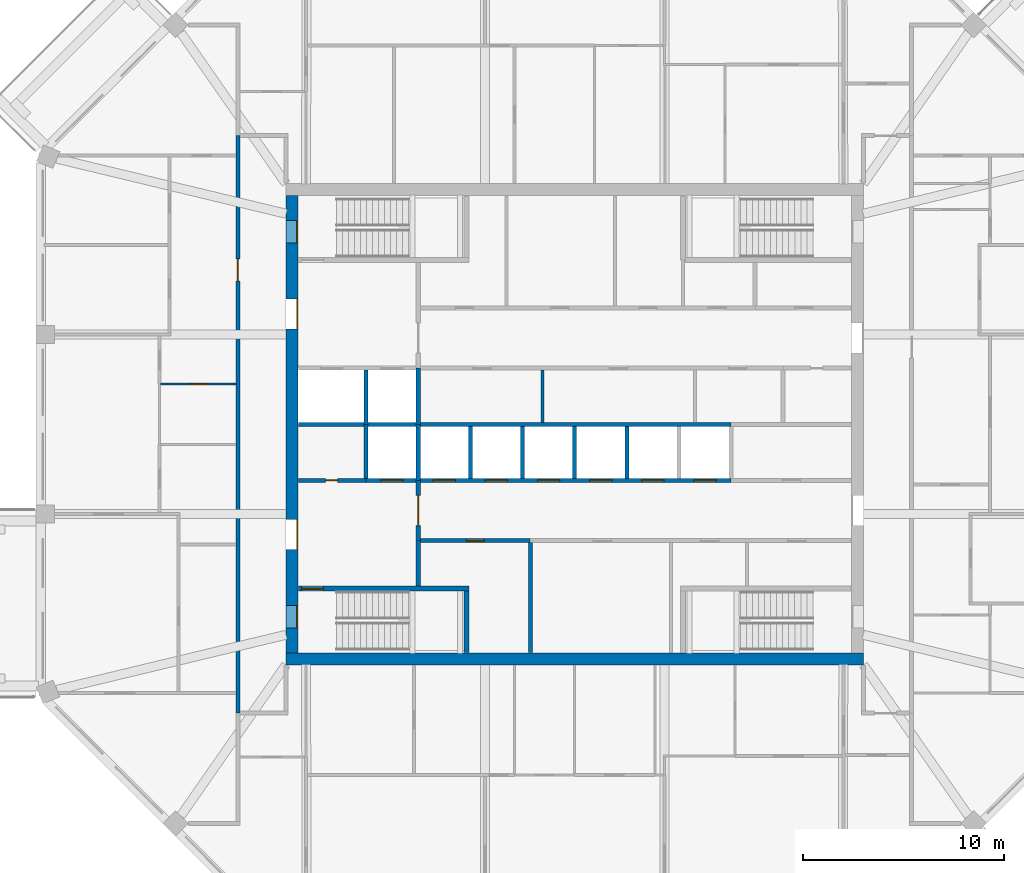
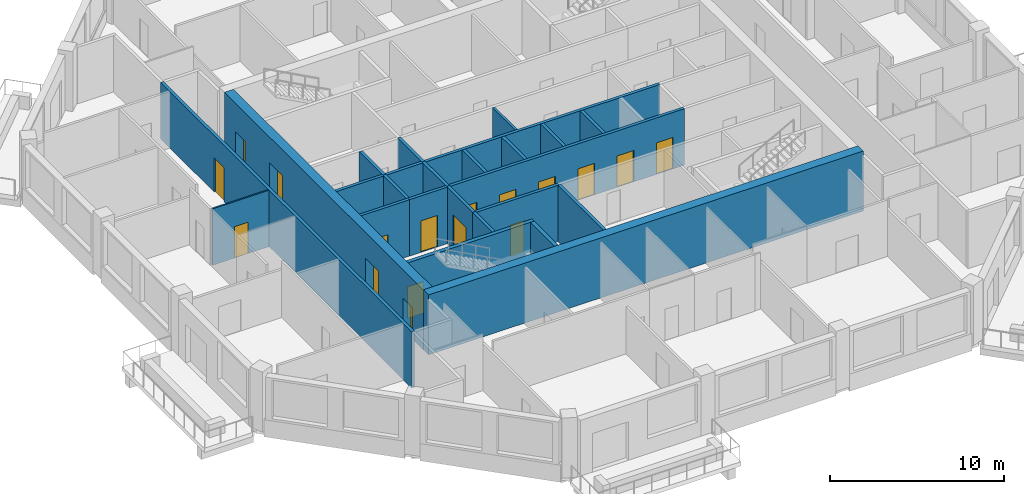
# One storey, part 4 of 11: 22 walls, 17 doors, 17 openings.
"""IFC4 building model written with IfcOpenShell, lengths in metres."""

from ifc_helpers import new_model, si_unit, direction, frame, frame_2d, origin, place, context, subcontext, project, spatial, rectangle, extrude, material, layer, layer_set, type_object, element, fill, save


model = new_model("IFC4")

# Units and contexts
model_context = context("Model", 3, precision=1e-05, world=origin(), true_north=direction((0.0, 1.0)))
body_context = subcontext(model_context, "Body", "Model", "MODEL_VIEW")
ifc_project = project(units=[si_unit("LENGTHUNIT", "METRE"), si_unit("AREAUNIT", "SQUARE_METRE"), si_unit("VOLUMEUNIT", "CUBIC_METRE"), si_unit("PLANEANGLEUNIT", "RADIAN"), si_unit("MASSUNIT", "GRAM", prefix="KILO")], contexts=[model_context])

# Site, building, storey
site_placement = place(None, origin())
site = spatial("IfcSite", under=ifc_project, at=site_placement, CompositionType="ELEMENT")
building_placement = place(site_placement, origin())
building = spatial("IfcBuilding", under=site, at=building_placement, Name="Msitu Wima Residences", CompositionType="ELEMENT")
storey_placement = place(building_placement, frame((0.0, 0.0, 293.699951171875)))
storey = spatial("IfcBuildingStorey", under=building, at=storey_placement, Name="L68", CompositionType="ELEMENT", Elevation=293.699951171875)

# Wall
ifc_material_1 = material(Name="Concrete C50/60", Category="concrete")
ifc_layer_1 = layer(ifc_material_1, 0.60009765625)
ifc_layer_set_1 = layer_set([ifc_layer_1], Name="Concrete C50/60")
wall_type_1 = type_object("IfcWallType", Name="Core wall CW600 C50/60", PredefinedType="SHEAR", material=ifc_layer_set_1)
wall_1_placement = place(storey_placement, frame((-14.39990234375, -11.699951171875, 0.0), z_axis=(0.0, 0.0, 1.0), x_axis=(1.0, 0.0, 0.0)))
element("IfcWall", 1, at=wall_1_placement, inside=storey, type_object=wall_type_1, Name="Core wall", PredefinedType="SHEAR", context=body_context, shape_type="SweptSolid", body=[
    extrude(rectangle(XDim=28.7998046875, YDim=0.60009765625, at=frame_2d((14.39990234375, 0.0))), origin(), (0.0, 0.0, 1.0), 4.199951171875),
])

# Wall, openings, doors
wall_2_placement = place(storey_placement, frame((-14.10009765625, -11.39990234375, 0.0), z_axis=(0.0, 0.0, 1.0), x_axis=(0.0, 1.0, 0.0)))
wall_2 = element("IfcWall", 2, at=wall_2_placement, inside=storey, type_object=wall_type_1, Name="Core wall", PredefinedType="SHEAR", context=body_context, shape_type="SweptSolid", body=[
    extrude(rectangle(XDim=22.7998046875, YDim=0.60009765625, at=frame_2d((11.39990234375, 0.0))), origin(), (0.0, 0.0, 1.0), 4.199951171875),
])
opening_1_placement = place(wall_2_placement, frame((20.449951171875, 0.0, 0.0)))
opening_1 = element("IfcOpeningElement", 3, at=opening_1_placement, cuts=wall_2, Name="Opening D68-70.078", PredefinedType="OPENING", context=body_context, shape_type="SweptSolid", body=[
    extrude(rectangle(XDim=1.10009765625, YDim=2.199951171875, at=frame_2d((0.550048828125, 1.10009765625))), frame((0.0, 0.31005859375, 0.0), z_axis=(0.0, -1.0, 0.0), x_axis=(1.0, 0.0, 0.0)), (0.0, 0.0, 1.0), 0.6201171875),
])
opening_2_placement = place(wall_2_placement, frame((1.25, 0.0, 0.0)))
opening_2 = element("IfcOpeningElement", 4, at=opening_2_placement, cuts=wall_2, Name="Opening D68-70.080", PredefinedType="OPENING", context=body_context, shape_type="SweptSolid", body=[
    extrude(rectangle(XDim=1.10009765625, YDim=2.199951171875, at=frame_2d((0.550048828125, 1.10009765625))), frame((0.0, 0.31005859375, 0.0), z_axis=(0.0, -1.0, 0.0), x_axis=(1.0, 0.0, 0.0)), (0.0, 0.0, 1.0), 0.6201171875),
])
opening_3_placement = place(wall_2_placement, frame((16.14990234375, 0.0, 0.0)))
opening_3 = element("IfcOpeningElement", 5, at=opening_3_placement, cuts=wall_2, Name="Opening D68-70.058", PredefinedType="OPENING", context=body_context, shape_type="SweptSolid", body=[
    extrude(rectangle(XDim=1.5, YDim=2.39990234375, at=frame_2d((0.75, 1.199951171875))), frame((0.0, 0.31005859375, 0.0), z_axis=(0.0, -1.0, 0.0), x_axis=(1.0, 0.0, 0.0)), (0.0, 0.0, 1.0), 0.6201171875),
])
opening_4_placement = place(wall_2_placement, frame((5.14990234375, 0.0, 0.0)))
opening_4 = element("IfcOpeningElement", 6, at=opening_4_placement, cuts=wall_2, Name="Opening D68-70.060", PredefinedType="OPENING", context=body_context, shape_type="SweptSolid", body=[
    extrude(rectangle(XDim=1.5, YDim=2.39990234375, at=frame_2d((0.75, 1.199951171875))), frame((0.0, 0.31005859375, 0.0), z_axis=(0.0, -1.0, 0.0), x_axis=(1.0, 0.0, 0.0)), (0.0, 0.0, 1.0), 0.6201171875),
])
ifc_material_2 = material(Name="Steel framed glazed door, fire resisting", Category="steel")
door_type_1 = type_object("IfcDoorType", Name="Lobby door D07 1500x2400", OperationType="DOUBLE_DOOR_SINGLE_SWING", PredefinedType="DOOR", material=ifc_material_2)
door_1_placement = place(opening_3_placement, origin())
door_1 = element("IfcDoor", 7, at=door_1_placement, inside=storey, type_object=door_type_1, Name="Lobby door", OperationType="DOUBLE_DOOR_SINGLE_SWING", OverallHeight=2.39990234375, OverallWidth=1.5, PredefinedType="DOOR", context=body_context, shape_type="SweptSolid", body=[
    extrude(rectangle(XDim=1.5, YDim=2.39990234375, at=frame_2d((0.75, 1.199951171875))), frame((0.0, -0.2451171875, 0.0), z_axis=(0.0, -1.0, 0.0), x_axis=(1.0, 0.0, 0.0)), (0.0, 0.0, 1.0), 0.050048828125),
])
fill(opening_3, door_1)
door_2_placement = place(opening_4_placement, origin())
door_2 = element("IfcDoor", 8, at=door_2_placement, inside=storey, type_object=door_type_1, Name="Lobby door", OperationType="DOUBLE_DOOR_SINGLE_SWING", OverallHeight=2.39990234375, OverallWidth=1.5, PredefinedType="DOOR", context=body_context, shape_type="SweptSolid", body=[
    extrude(rectangle(XDim=1.5, YDim=2.39990234375, at=frame_2d((0.75, 1.199951171875))), frame((0.0, -0.2451171875, 0.0), z_axis=(0.0, -1.0, 0.0), x_axis=(1.0, 0.0, 0.0)), (0.0, 0.0, 1.0), 0.050048828125),
])
fill(opening_4, door_2)
ifc_material_3 = material(Name="Steel door, fire resisting, panic bar", Category="steel")
door_type_2 = type_object("IfcDoorType", Name="Stair door D06 1100x2200", OperationType="SINGLE_SWING_LEFT", PredefinedType="DOOR", material=ifc_material_3)
door_3_placement = place(opening_1_placement, origin())
door_3 = element("IfcDoor", 9, at=door_3_placement, inside=storey, type_object=door_type_2, Name="Stair door", OperationType="SINGLE_SWING_RIGHT", OverallHeight=2.199951171875, OverallWidth=1.10009765625, PredefinedType="DOOR", context=body_context, shape_type="SweptSolid", body=[
    extrude(rectangle(XDim=1.10009765625, YDim=2.199951171875, at=frame_2d((0.550048828125, 1.10009765625))), frame((0.0, -0.2451171875, 0.0), z_axis=(0.0, -1.0, 0.0), x_axis=(1.0, 0.0, 0.0)), (0.0, 0.0, 1.0), 0.050048828125),
])
fill(opening_1, door_3)
door_4_placement = place(opening_2_placement, origin())
door_4 = element("IfcDoor", 10, at=door_4_placement, inside=storey, type_object=door_type_2, Name="Stair door", OperationType="SINGLE_SWING_LEFT", OverallHeight=2.199951171875, OverallWidth=1.10009765625, PredefinedType="DOOR", context=body_context, shape_type="SweptSolid", body=[
    extrude(rectangle(XDim=1.10009765625, YDim=2.199951171875, at=frame_2d((0.550048828125, 1.10009765625))), frame((0.0, -0.2451171875, 0.0), z_axis=(0.0, -1.0, 0.0), x_axis=(1.0, 0.0, 0.0)), (0.0, 0.0, 1.0), 0.050048828125),
])
fill(opening_2, door_4)

# Wall, opening, door
ifc_material_4 = material(Name="Plaster")
ifc_layer_2 = layer(ifc_material_4, 0.011962890625, Name="Plaster")
ifc_material_5 = material(Name="Concrete blockwork", Category="masonry")
ifc_layer_3 = layer(ifc_material_5, 0.176025390625, Name="Concrete blockwork")
ifc_layer_4 = layer(ifc_material_4, 0.011962890625, Name="Plaster")
ifc_layer_set_2 = layer_set([ifc_layer_2, ifc_layer_3, ifc_layer_4], Name="Concrete blockwork")
wall_type_2 = type_object("IfcWallType", Name="Corridor wall FW200", PredefinedType="PARTITIONING", material=ifc_layer_set_2)
wall_3_placement = place(storey_placement, frame((-16.800048828125, -14.39990234375, 0.0), z_axis=(0.0, 0.0, 1.0), x_axis=(0.0, 1.0, 0.0)))
wall_3 = element("IfcWall", 11, at=wall_3_placement, inside=storey, type_object=wall_type_2, Name="Corridor wall", PredefinedType="PARTITIONING", context=body_context, shape_type="SweptSolid", body=[
    extrude(rectangle(XDim=28.7998046875, YDim=0.199951171875, at=frame_2d((14.39990234375, 0.0))), origin(), (0.0, 0.0, 1.0), 3.949951171875),
])
opening_5_placement = place(wall_3_placement, frame((21.550048828125, 0.0, 0.0)))
opening_5 = element("IfcOpeningElement", 12, at=opening_5_placement, cuts=wall_3, Name="Opening D68-70.034", PredefinedType="OPENING", context=body_context, shape_type="SweptSolid", body=[
    extrude(rectangle(XDim=1.10009765625, YDim=2.39990234375, at=frame_2d((0.550048828125, 1.199951171875))), frame((0.0, 0.10986328125, 0.0), z_axis=(0.0, -1.0, 0.0), x_axis=(1.0, 0.0, 0.0)), (0.0, 0.0, 1.0), 0.219970703125),
])
ifc_material_6 = material(Name="Timber flush door, fire resisting, self-closing", Category="wood")
door_type_3 = type_object("IfcDoorType", Name="Flat entrance door D01 1100x2400", OperationType="SINGLE_SWING_LEFT", PredefinedType="DOOR", material=ifc_material_6)
door_5_placement = place(opening_5_placement, origin())
door_5 = element("IfcDoor", 13, at=door_5_placement, inside=storey, type_object=door_type_3, Name="Flat entrance door", OperationType="SINGLE_SWING_RIGHT", OverallHeight=2.39990234375, OverallWidth=1.10009765625, PredefinedType="DOOR", context=body_context, shape_type="SweptSolid", body=[
    extrude(rectangle(XDim=1.10009765625, YDim=2.39990234375, at=frame_2d((0.550048828125, 1.199951171875))), frame((0.0, 0.02490234375, 0.0), z_axis=(0.0, -1.0, 0.0), x_axis=(1.0, 0.0, 0.0)), (0.0, 0.0, 1.0), 0.050048828125),
])
fill(opening_5, door_5)

wall_4_placement = place(storey_placement, frame((-7.800048828125, -5.800048828125, 0.0), z_axis=(0.0, 0.0, 1.0), x_axis=(0.0, 1.0, 0.0)))
wall_4 = element("IfcWall", 14, at=wall_4_placement, inside=storey, type_object=wall_type_2, Name="Corridor wall", PredefinedType="PARTITIONING", context=body_context, shape_type="SweptSolid", body=[
    extrude(rectangle(XDim=3.0, YDim=0.199951171875, at=frame_2d((1.5, 0.0))), origin(), (0.0, 0.0, 1.0), 3.949951171875),
])
opening_6_placement = place(wall_4_placement, frame((0.75, 0.0, 0.0)))
opening_6 = element("IfcOpeningElement", 15, at=opening_6_placement, cuts=wall_4, Name="Opening D68-70.061", PredefinedType="OPENING", context=body_context, shape_type="SweptSolid", body=[
    extrude(rectangle(XDim=1.5, YDim=2.39990234375, at=frame_2d((0.75, 1.199951171875))), frame((0.0, 0.10986328125, 0.0), z_axis=(0.0, -1.0, 0.0), x_axis=(1.0, 0.0, 0.0)), (0.0, 0.0, 1.0), 0.219970703125),
])
door_6_placement = place(opening_6_placement, origin())
door_6 = element("IfcDoor", 16, at=door_6_placement, inside=storey, type_object=door_type_1, Name="Lobby door", OperationType="DOUBLE_DOOR_SINGLE_SWING", OverallHeight=2.39990234375, OverallWidth=1.5, PredefinedType="DOOR", context=body_context, shape_type="SweptSolid", body=[
    extrude(rectangle(XDim=1.5, YDim=2.39990234375, at=frame_2d((0.75, 1.199951171875))), frame((0.0, 0.02490234375, 0.0), z_axis=(0.0, -1.0, 0.0), x_axis=(1.0, 0.0, 0.0)), (0.0, 0.0, 1.0), 0.050048828125),
])
fill(opening_6, door_6)

# Wall
ifc_layer_5 = layer(ifc_material_4, 0.011962890625, Name="Plaster")
ifc_layer_6 = layer(ifc_material_5, 0.1259765625, Name="Concrete blockwork")
ifc_layer_7 = layer(ifc_material_4, 0.011962890625, Name="Plaster")
ifc_layer_set_3 = layer_set([ifc_layer_5, ifc_layer_6, ifc_layer_7], Name="Concrete blockwork")
wall_type_3 = type_object("IfcWallType", Name="Partition PW150", PredefinedType="PARTITIONING", material=ifc_layer_set_3)
wall_5_placement = place(storey_placement, frame((-1.60009765625, 0.10009765625, 0.0), z_axis=(0.0, 0.0, 1.0), x_axis=(0.0, 1.0, 0.0)))
element("IfcWall", 17, at=wall_5_placement, inside=storey, type_object=wall_type_3, Name="Partition", PredefinedType="PARTITIONING", context=body_context, shape_type="SweptSolid", body=[
    extrude(rectangle(XDim=2.599853515625, YDim=0.14990234375, at=frame_2d((1.2998046875, 0.0))), origin(), (0.0, 0.0, 1.0), 3.949951171875),
])

# Wall, opening, door
ifc_layer_8 = layer(ifc_material_4, 0.011962890625, Name="Plaster")
ifc_material_7 = material(Name="Reinforced concrete blockwork", Category="masonry")
ifc_layer_9 = layer(ifc_material_7, 0.176025390625, Name="Reinforced concrete blockwork")
ifc_layer_10 = layer(ifc_material_4, 0.011962890625, Name="Plaster")
ifc_layer_set_4 = layer_set([ifc_layer_8, ifc_layer_9, ifc_layer_10], Name="Reinforced concrete blockwork")
wall_type_4 = type_object("IfcWallType", Name="Plant and riser wall PL200", PredefinedType="PARTITIONING", material=ifc_layer_set_4)
wall_6_placement = place(storey_placement, frame((-13.77001953125, -2.800048828125, 0.0), z_axis=(0.0, 0.0, 1.0), x_axis=(1.0, 0.0, 0.0)))
wall_6 = element("IfcWall", 18, at=wall_6_placement, inside=storey, type_object=wall_type_4, Name="Plant and riser wall", PredefinedType="PARTITIONING", context=body_context, shape_type="SweptSolid", body=[
    extrude(rectangle(XDim=3.3701171875, YDim=0.199951171875, at=frame_2d((1.68505859375, 0.0))), origin(), (0.0, 0.0, 1.0), 3.949951171875),
])
opening_7_placement = place(wall_6_placement, frame((1.35009765625, 0.0, 0.0)))
opening_7 = element("IfcOpeningElement", 19, at=opening_7_placement, cuts=wall_6, Name="Opening D68-70.077", PredefinedType="OPENING", context=body_context, shape_type="SweptSolid", body=[
    extrude(rectangle(XDim=0.60009765625, YDim=2.0, at=frame_2d((0.300048828125, 1.0))), frame((0.0, 0.10986328125, 0.0), z_axis=(0.0, -1.0, 0.0), x_axis=(1.0, 0.0, 0.0)), (0.0, 0.0, 1.0), 0.219970703125),
])
ifc_material_8 = material(Name="Steel access door, fire resisting", Category="steel")
door_type_4 = type_object("IfcDoorType", Name="Riser access door D08 600x2000", OperationType="SINGLE_SWING_LEFT", PredefinedType="DOOR", material=ifc_material_8)
door_7_placement = place(opening_7_placement, origin())
door_7 = element("IfcDoor", 20, at=door_7_placement, inside=storey, type_object=door_type_4, Name="Riser access door", OperationType="SINGLE_SWING_RIGHT", OverallHeight=2.0, OverallWidth=0.60009765625, PredefinedType="DOOR", context=body_context, shape_type="SweptSolid", body=[
    extrude(rectangle(XDim=0.60009765625, YDim=2.0, at=frame_2d((0.300048828125, 1.0))), frame((0.0, 0.02490234375, 0.0), z_axis=(0.0, -1.0, 0.0), x_axis=(1.0, 0.0, 0.0)), (0.0, 0.0, 1.0), 0.050048828125),
])
fill(opening_7, door_7)

# Wall
wall_7_placement = place(storey_placement, frame((-7.800048828125, -8.074951171875, 0.0), z_axis=(0.0, 0.0, 1.0), x_axis=(0.0, 1.0, 0.0)))
element("IfcWall", 21, at=wall_7_placement, inside=storey, type_object=wall_type_4, Name="Plant and riser wall", PredefinedType="PARTITIONING", context=body_context, shape_type="SweptSolid", body=[
    extrude(rectangle(XDim=2.27490234375, YDim=0.199951171875, at=frame_2d((1.137451171875, 0.0))), origin(), (0.0, 0.0, 1.0), 3.949951171875),
])

# Wall, opening, door
wall_8_placement = place(storey_placement, frame((-7.699951171875, -5.800048828125, 0.0), z_axis=(0.0, 0.0, 1.0), x_axis=(1.0, 0.0, 0.0)))
wall_8 = element("IfcWall", 22, at=wall_8_placement, inside=storey, type_object=wall_type_4, Name="Plant and riser wall", PredefinedType="PARTITIONING", context=body_context, shape_type="SweptSolid", body=[
    extrude(rectangle(XDim=5.47998046875, YDim=0.199951171875, at=frame_2d((2.739990234375, 0.0))), origin(), (0.0, 0.0, 1.0), 3.949951171875),
])
opening_8_placement = place(wall_8_placement, frame((2.300048828125, 0.0, 0.0)))
opening_8 = element("IfcOpeningElement", 23, at=opening_8_placement, cuts=wall_8, Name="Opening D68-70.067", PredefinedType="OPENING", context=body_context, shape_type="SweptSolid", body=[
    extrude(rectangle(XDim=0.89990234375, YDim=2.199951171875, at=frame_2d((0.449951171875, 1.10009765625))), frame((0.0, 0.10986328125, 0.0), z_axis=(0.0, -1.0, 0.0), x_axis=(1.0, 0.0, 0.0)), (0.0, 0.0, 1.0), 0.219970703125),
])
ifc_material_9 = material(Name="Timber flush door", Category="wood")
door_type_5 = type_object("IfcDoorType", Name="Service door D05 900x2200", OperationType="SINGLE_SWING_LEFT", PredefinedType="DOOR", material=ifc_material_9)
door_8_placement = place(opening_8_placement, origin())
door_8 = element("IfcDoor", 24, at=door_8_placement, inside=storey, type_object=door_type_5, Name="Service door", OperationType="SINGLE_SWING_LEFT", OverallHeight=2.199951171875, OverallWidth=0.89990234375, PredefinedType="DOOR", context=body_context, shape_type="SweptSolid", body=[
    extrude(rectangle(XDim=0.89990234375, YDim=2.199951171875, at=frame_2d((0.449951171875, 1.10009765625))), frame((0.0, 0.02490234375, 0.0), z_axis=(0.0, -1.0, 0.0), x_axis=(1.0, 0.0, 0.0)), (0.0, 0.0, 1.0), 0.050048828125),
])
fill(opening_8, door_8)

# Walls
wall_9_placement = place(storey_placement, frame((-2.199951171875, -11.3701171875, 0.0), z_axis=(0.0, 0.0, 1.0), x_axis=(0.0, 1.0, 0.0)))
element("IfcWall", 25, at=wall_9_placement, inside=storey, type_object=wall_type_4, Name="Plant and riser wall", PredefinedType="PARTITIONING", context=body_context, shape_type="SweptSolid", body=[
    extrude(rectangle(XDim=5.47021484375, YDim=0.199951171875, at=frame_2d((2.735107421875, 0.0))), origin(), (0.0, 0.0, 1.0), 3.949951171875),
])
ifc_material_10 = material(Name="Fire-rated board")
ifc_layer_11 = layer(ifc_material_10, 0.02490234375, Name="Fire-rated board")
ifc_material_11 = material(Name="Light-gauge stud framing with mineral wool")
ifc_layer_12 = layer(ifc_material_11, 0.14990234375, Name="Light-gauge stud framing with mineral wool")
ifc_layer_13 = layer(ifc_material_10, 0.02490234375, Name="Fire-rated board")
ifc_layer_set_5 = layer_set([ifc_layer_11, ifc_layer_12, ifc_layer_13], Name="Light-gauge stud framing with mineral wool")
wall_type_5 = type_object("IfcWallType", Name="Shaft wall SH200", PredefinedType="PARTITIONING", material=ifc_layer_set_5)
wall_10_placement = place(storey_placement, frame((-13.77001953125, 0.0, 0.0), z_axis=(0.0, 0.0, 1.0), x_axis=(1.0, 0.0, 0.0)))
element("IfcWall", 26, at=wall_10_placement, inside=storey, type_object=wall_type_5, Name="Shaft wall", PredefinedType="PARTITIONING", context=body_context, shape_type="SweptSolid", body=[
    extrude(rectangle(XDim=21.570068359375, YDim=0.199951171875, at=frame_2d((10.78515625, 0.0))), origin(), (0.0, 0.0, 1.0), 3.949951171875),
])
wall_11_placement = place(storey_placement, frame((-10.39990234375, -2.699951171875, 0.0), z_axis=(0.0, 0.0, 1.0), x_axis=(0.0, 1.0, 0.0)))
element("IfcWall", 27, at=wall_11_placement, inside=storey, type_object=wall_type_5, Name="Shaft wall", PredefinedType="PARTITIONING", context=body_context, shape_type="SweptSolid", body=[
    extrude(rectangle(XDim=2.699951171875, YDim=0.199951171875, at=frame_2d((1.35009765625, 0.0))), origin(), (0.0, 0.0, 1.0), 3.949951171875),
])

# Wall, openings, doors
wall_12_placement = place(storey_placement, frame((-10.39990234375, -2.800048828125, 0.0), z_axis=(0.0, 0.0, 1.0), x_axis=(1.0, 0.0, 0.0)))
wall_12 = element("IfcWall", 28, at=wall_12_placement, inside=storey, type_object=wall_type_5, Name="Shaft wall", PredefinedType="PARTITIONING", context=body_context, shape_type="SweptSolid", body=[
    extrude(rectangle(XDim=18.199951171875, YDim=0.199951171875, at=frame_2d((9.10009765625, 0.0))), origin(), (0.0, 0.0, 1.0), 3.949951171875),
])
opening_9_placement = place(wall_12_placement, frame((0.75, 0.0, 0.0)))
opening_9 = element("IfcOpeningElement", 29, at=opening_9_placement, cuts=wall_12, Name="Opening LD", PredefinedType="OPENING", context=body_context, shape_type="SweptSolid", body=[
    extrude(rectangle(XDim=1.10009765625, YDim=2.199951171875, at=frame_2d((0.550048828125, 1.10009765625))), frame((0.0, 0.10986328125, 0.0), z_axis=(0.0, -1.0, 0.0), x_axis=(1.0, 0.0, 0.0)), (0.0, 0.0, 1.0), 0.219970703125),
])
opening_10_placement = place(wall_12_placement, frame((3.35009765625, 0.0, 0.0)))
opening_10 = element("IfcOpeningElement", 30, at=opening_10_placement, cuts=wall_12, Name="Opening LD", PredefinedType="OPENING", context=body_context, shape_type="SweptSolid", body=[
    extrude(rectangle(XDim=1.10009765625, YDim=2.199951171875, at=frame_2d((0.550048828125, 1.10009765625))), frame((0.0, 0.10986328125, 0.0), z_axis=(0.0, -1.0, 0.0), x_axis=(1.0, 0.0, 0.0)), (0.0, 0.0, 1.0), 0.219970703125),
])
opening_11_placement = place(wall_12_placement, frame((5.949951171875, 0.0, 0.0)))
opening_11 = element("IfcOpeningElement", 31, at=opening_11_placement, cuts=wall_12, Name="Opening LD", PredefinedType="OPENING", context=body_context, shape_type="SweptSolid", body=[
    extrude(rectangle(XDim=1.10009765625, YDim=2.199951171875, at=frame_2d((0.550048828125, 1.10009765625))), frame((0.0, 0.10986328125, 0.0), z_axis=(0.0, -1.0, 0.0), x_axis=(1.0, 0.0, 0.0)), (0.0, 0.0, 1.0), 0.219970703125),
])
opening_12_placement = place(wall_12_placement, frame((8.550048828125, 0.0, 0.0)))
opening_12 = element("IfcOpeningElement", 32, at=opening_12_placement, cuts=wall_12, Name="Opening LD", PredefinedType="OPENING", context=body_context, shape_type="SweptSolid", body=[
    extrude(rectangle(XDim=1.10009765625, YDim=2.199951171875, at=frame_2d((0.550048828125, 1.10009765625))), frame((0.0, 0.10986328125, 0.0), z_axis=(0.0, -1.0, 0.0), x_axis=(1.0, 0.0, 0.0)), (0.0, 0.0, 1.0), 0.219970703125),
])
opening_13_placement = place(wall_12_placement, frame((11.14990234375, 0.0, 0.0)))
opening_13 = element("IfcOpeningElement", 33, at=opening_13_placement, cuts=wall_12, Name="Opening LD", PredefinedType="OPENING", context=body_context, shape_type="SweptSolid", body=[
    extrude(rectangle(XDim=1.10009765625, YDim=2.199951171875, at=frame_2d((0.550048828125, 1.10009765625))), frame((0.0, 0.10986328125, 0.0), z_axis=(0.0, -1.0, 0.0), x_axis=(1.0, 0.0, 0.0)), (0.0, 0.0, 1.0), 0.219970703125),
])
opening_14_placement = place(wall_12_placement, frame((13.75, 0.0, 0.0)))
opening_14 = element("IfcOpeningElement", 34, at=opening_14_placement, cuts=wall_12, Name="Opening LD", PredefinedType="OPENING", context=body_context, shape_type="SweptSolid", body=[
    extrude(rectangle(XDim=1.10009765625, YDim=2.199951171875, at=frame_2d((0.550048828125, 1.10009765625))), frame((0.0, 0.10986328125, 0.0), z_axis=(0.0, -1.0, 0.0), x_axis=(1.0, 0.0, 0.0)), (0.0, 0.0, 1.0), 0.219970703125),
])
opening_15_placement = place(wall_12_placement, frame((16.35009765625, 0.0, 0.0)))
opening_15 = element("IfcOpeningElement", 35, at=opening_15_placement, cuts=wall_12, Name="Opening LD", PredefinedType="OPENING", context=body_context, shape_type="SweptSolid", body=[
    extrude(rectangle(XDim=1.10009765625, YDim=2.199951171875, at=frame_2d((0.550048828125, 1.10009765625))), frame((0.0, 0.10986328125, 0.0), z_axis=(0.0, -1.0, 0.0), x_axis=(1.0, 0.0, 0.0)), (0.0, 0.0, 1.0), 0.219970703125),
])
ifc_material_12 = material(Name="Stainless steel centre-opening landing door, rated", Category="steel")
door_type_6 = type_object("IfcDoorType", Name="Lift landing door LD 1100x2200", OperationType="DOUBLE_DOOR_SLIDING", PredefinedType="DOOR", material=ifc_material_12)
door_9_placement = place(opening_9_placement, origin())
door_9 = element("IfcDoor", 36, at=door_9_placement, inside=storey, type_object=door_type_6, Name="Lift landing door LD3", OperationType="DOUBLE_DOOR_SLIDING", OverallHeight=2.199951171875, OverallWidth=1.10009765625, PredefinedType="DOOR", context=body_context, shape_type="SweptSolid", body=[
    extrude(rectangle(XDim=1.10009765625, YDim=2.199951171875, at=frame_2d((0.550048828125, 1.10009765625))), frame((0.0, 0.02490234375, 0.0), z_axis=(0.0, -1.0, 0.0), x_axis=(1.0, 0.0, 0.0)), (0.0, 0.0, 1.0), 0.050048828125),
])
fill(opening_9, door_9)
door_10_placement = place(opening_10_placement, origin())
door_10 = element("IfcDoor", 37, at=door_10_placement, inside=storey, type_object=door_type_6, Name="Lift landing door LD5", OperationType="DOUBLE_DOOR_SLIDING", OverallHeight=2.199951171875, OverallWidth=1.10009765625, PredefinedType="DOOR", context=body_context, shape_type="SweptSolid", body=[
    extrude(rectangle(XDim=1.10009765625, YDim=2.199951171875, at=frame_2d((0.550048828125, 1.10009765625))), frame((0.0, 0.02490234375, 0.0), z_axis=(0.0, -1.0, 0.0), x_axis=(1.0, 0.0, 0.0)), (0.0, 0.0, 1.0), 0.050048828125),
])
fill(opening_10, door_10)
door_11_placement = place(opening_11_placement, origin())
door_11 = element("IfcDoor", 38, at=door_11_placement, inside=storey, type_object=door_type_6, Name="Lift landing door LD7", OperationType="DOUBLE_DOOR_SLIDING", OverallHeight=2.199951171875, OverallWidth=1.10009765625, PredefinedType="DOOR", context=body_context, shape_type="SweptSolid", body=[
    extrude(rectangle(XDim=1.10009765625, YDim=2.199951171875, at=frame_2d((0.550048828125, 1.10009765625))), frame((0.0, 0.02490234375, 0.0), z_axis=(0.0, -1.0, 0.0), x_axis=(1.0, 0.0, 0.0)), (0.0, 0.0, 1.0), 0.050048828125),
])
fill(opening_11, door_11)
door_12_placement = place(opening_12_placement, origin())
door_12 = element("IfcDoor", 39, at=door_12_placement, inside=storey, type_object=door_type_6, Name="Lift landing door LD9", OperationType="DOUBLE_DOOR_SLIDING", OverallHeight=2.199951171875, OverallWidth=1.10009765625, PredefinedType="DOOR", context=body_context, shape_type="SweptSolid", body=[
    extrude(rectangle(XDim=1.10009765625, YDim=2.199951171875, at=frame_2d((0.550048828125, 1.10009765625))), frame((0.0, 0.02490234375, 0.0), z_axis=(0.0, -1.0, 0.0), x_axis=(1.0, 0.0, 0.0)), (0.0, 0.0, 1.0), 0.050048828125),
])
fill(opening_12, door_12)
door_13_placement = place(opening_13_placement, origin())
door_13 = element("IfcDoor", 40, at=door_13_placement, inside=storey, type_object=door_type_6, Name="Lift landing door LD11", OperationType="DOUBLE_DOOR_SLIDING", OverallHeight=2.199951171875, OverallWidth=1.10009765625, PredefinedType="DOOR", context=body_context, shape_type="SweptSolid", body=[
    extrude(rectangle(XDim=1.10009765625, YDim=2.199951171875, at=frame_2d((0.550048828125, 1.10009765625))), frame((0.0, 0.02490234375, 0.0), z_axis=(0.0, -1.0, 0.0), x_axis=(1.0, 0.0, 0.0)), (0.0, 0.0, 1.0), 0.050048828125),
])
fill(opening_13, door_13)
door_14_placement = place(opening_14_placement, origin())
door_14 = element("IfcDoor", 41, at=door_14_placement, inside=storey, type_object=door_type_6, Name="Lift landing door LD13", OperationType="DOUBLE_DOOR_SLIDING", OverallHeight=2.199951171875, OverallWidth=1.10009765625, PredefinedType="DOOR", context=body_context, shape_type="SweptSolid", body=[
    extrude(rectangle(XDim=1.10009765625, YDim=2.199951171875, at=frame_2d((0.550048828125, 1.10009765625))), frame((0.0, 0.02490234375, 0.0), z_axis=(0.0, -1.0, 0.0), x_axis=(1.0, 0.0, 0.0)), (0.0, 0.0, 1.0), 0.050048828125),
])
fill(opening_14, door_14)
door_15_placement = place(opening_15_placement, origin())
door_15 = element("IfcDoor", 42, at=door_15_placement, inside=storey, type_object=door_type_6, Name="Lift landing door LD15", OperationType="DOUBLE_DOOR_SLIDING", OverallHeight=2.199951171875, OverallWidth=1.10009765625, PredefinedType="DOOR", context=body_context, shape_type="SweptSolid", body=[
    extrude(rectangle(XDim=1.10009765625, YDim=2.199951171875, at=frame_2d((0.550048828125, 1.10009765625))), frame((0.0, 0.02490234375, 0.0), z_axis=(0.0, -1.0, 0.0), x_axis=(1.0, 0.0, 0.0)), (0.0, 0.0, 1.0), 0.050048828125),
])
fill(opening_15, door_15)

# Walls
wall_13_placement = place(storey_placement, frame((-10.39990234375, 0.0, 0.0), z_axis=(0.0, 0.0, 1.0), x_axis=(0.0, 1.0, 0.0)))
element("IfcWall", 43, at=wall_13_placement, inside=storey, type_object=wall_type_5, Name="Shaft wall", PredefinedType="PARTITIONING", context=body_context, shape_type="SweptSolid", body=[
    extrude(rectangle(XDim=2.699951171875, YDim=0.199951171875, at=frame_2d((1.35009765625, 0.0))), origin(), (0.0, 0.0, 1.0), 3.949951171875),
])
for number, where, z_axis, x_axis, name in (
    (44, (-7.800048828125, -2.800048828125, 0.0), (0.0, 0.0, 1.0), (0.0, 1.0, 0.0), "Shaft wall"),
    (45, (-7.800048828125, 0.0, 0.0), (0.0, 0.0, 1.0), (0.0, 1.0, 0.0), "Shaft wall"),
):
    element("IfcWall", number, at=place(storey_placement, frame(where, z_axis=z_axis, x_axis=x_axis)), inside=storey, type_object=wall_type_5, Name=name, PredefinedType="PARTITIONING", context=body_context, shape_type="SweptSolid", body=[
        extrude(rectangle(XDim=2.800048828125, YDim=0.199951171875, at=frame_2d((1.39990234375, 0.0))), origin(), (0.0, 0.0, 1.0), 3.949951171875),
    ])
for number, where, z_axis, x_axis, name in (
    (46, (-5.199951171875, -2.699951171875, 0.0), (0.0, 0.0, 1.0), (0.0, 1.0, 0.0), "Shaft wall"),
    (47, (-2.60009765625, -2.699951171875, 0.0), (0.0, 0.0, 1.0), (0.0, 1.0, 0.0), "Shaft wall"),
    (48, (0.0, -2.699951171875, 0.0), (0.0, 0.0, 1.0), (0.0, 1.0, 0.0), "Shaft wall"),
    (49, (2.60009765625, -2.699951171875, 0.0), (0.0, 0.0, 1.0), (0.0, 1.0, 0.0), "Shaft wall"),
):
    element("IfcWall", number, at=place(storey_placement, frame(where, z_axis=z_axis, x_axis=x_axis)), inside=storey, type_object=wall_type_5, Name=name, PredefinedType="PARTITIONING", context=body_context, shape_type="SweptSolid", body=[
        extrude(rectangle(XDim=2.599853515625, YDim=0.199951171875, at=frame_2d((1.2998046875, 0.0))), origin(), (0.0, 0.0, 1.0), 3.949951171875),
    ])

# Wall, opening, door
ifc_layer_14 = layer(ifc_material_1, 0.25)
ifc_layer_set_6 = layer_set([ifc_layer_14], Name="Concrete C50/60")
wall_type_6 = type_object("IfcWallType", Name="Stair enclosure wall SW250", PredefinedType="SHEAR", material=ifc_layer_set_6)
wall_14_placement = place(storey_placement, frame((-13.77001953125, -8.199951171875, 0.0), z_axis=(0.0, 0.0, 1.0), x_axis=(1.0, 0.0, 0.0)))
wall_14 = element("IfcWall", 50, at=wall_14_placement, inside=storey, type_object=wall_type_6, Name="Stair enclosure wall", PredefinedType="SHEAR", context=body_context, shape_type="SweptSolid", body=[
    extrude(rectangle(XDim=8.4951171875, YDim=0.25, at=frame_2d((4.24755859375, 0.0))), origin(), (0.0, 0.0, 1.0), 3.949951171875),
])
opening_16_placement = place(wall_14_placement, frame((0.14990234375, 0.0, 0.0)))
opening_16 = element("IfcOpeningElement", 51, at=opening_16_placement, cuts=wall_14, Name="Opening D68-70.081", PredefinedType="OPENING", context=body_context, shape_type="SweptSolid", body=[
    extrude(rectangle(XDim=1.10009765625, YDim=2.199951171875, at=frame_2d((0.550048828125, 1.10009765625))), frame((0.0, 0.135009765625, 0.0), z_axis=(0.0, -1.0, 0.0), x_axis=(1.0, 0.0, 0.0)), (0.0, 0.0, 1.0), 0.27001953125),
])
door_16_placement = place(opening_16_placement, origin())
door_16 = element("IfcDoor", 52, at=door_16_placement, inside=storey, type_object=door_type_2, Name="Stair door", OperationType="SINGLE_SWING_RIGHT", OverallHeight=2.199951171875, OverallWidth=1.10009765625, PredefinedType="DOOR", context=body_context, shape_type="SweptSolid", body=[
    extrude(rectangle(XDim=1.10009765625, YDim=2.199951171875, at=frame_2d((0.550048828125, 1.10009765625))), frame((0.0, 0.02490234375, 0.0), z_axis=(0.0, -1.0, 0.0), x_axis=(1.0, 0.0, 0.0)), (0.0, 0.0, 1.0), 0.050048828125),
])
fill(opening_16, door_16)

# Wall
wall_15_placement = place(storey_placement, frame((-5.39990234375, -11.3701171875, 0.0), z_axis=(0.0, 0.0, 1.0), x_axis=(0.0, 1.0, 0.0)))
element("IfcWall", 53, at=wall_15_placement, inside=storey, type_object=wall_type_6, Name="Stair enclosure wall", PredefinedType="SHEAR", context=body_context, shape_type="SweptSolid", body=[
    extrude(rectangle(XDim=3.045166015625, YDim=0.25, at=frame_2d((1.5224609375, 0.0))), origin(), (0.0, 0.0, 1.0), 3.949951171875),
])

# Wall, opening, door
ifc_material_13 = material(Name="Ceramic tiles")
ifc_layer_15 = layer(ifc_material_13, 0.008056640625, Name="Ceramic tiles")
ifc_material_14 = material(Name="Moisture-resistant board")
ifc_layer_16 = layer(ifc_material_14, 0.012451171875, Name="Moisture-resistant board")
ifc_layer_17 = layer(ifc_material_11, 0.06689453125, Name="Light-gauge stud framing with mineral wool")
ifc_layer_18 = layer(ifc_material_14, 0.012451171875, Name="Moisture-resistant board")
ifc_layer_set_7 = layer_set([ifc_layer_15, ifc_layer_16, ifc_layer_17, ifc_layer_18], Name="Light-gauge stud framing with mineral wool")
wall_type_7 = type_object("IfcWallType", Name="Wet wall PW100", PredefinedType="PARTITIONING", material=ifc_layer_set_7)
wall_16_placement = place(storey_placement, frame((-20.64990234375, 2.0, 0.0), z_axis=(0.0, 0.0, 1.0), x_axis=(1.0, 0.0, 0.0)))
wall_16 = element("IfcWall", 54, at=wall_16_placement, inside=storey, type_object=wall_type_7, Name="Wet wall", PredefinedType="PARTITIONING", context=body_context, shape_type="SweptSolid", body=[
    extrude(rectangle(XDim=3.75, YDim=0.10009765625, at=frame_2d((1.875, 0.0))), origin(), (0.0, 0.0, 1.0), 3.949951171875),
])
opening_17_placement = place(wall_16_placement, frame((1.449951171875, 0.0, 0.0)))
opening_17 = element("IfcOpeningElement", 55, at=opening_17_placement, cuts=wall_16, Name="Opening D68-70.036", PredefinedType="OPENING", context=body_context, shape_type="SweptSolid", body=[
    extrude(rectangle(XDim=0.89990234375, YDim=2.199951171875, at=frame_2d((0.449951171875, 1.10009765625))), frame((0.0, 0.06005859375, 0.0), z_axis=(0.0, -1.0, 0.0), x_axis=(1.0, 0.0, 0.0)), (0.0, 0.0, 1.0), 0.1201171875),
])
ifc_material_15 = material(Name="Timber flush door, moisture resistant", Category="wood")
door_type_7 = type_object("IfcDoorType", Name="Bathroom door D03 900x2200", OperationType="SINGLE_SWING_LEFT", PredefinedType="DOOR", material=ifc_material_15)
door_17_placement = place(opening_17_placement, origin())
door_17 = element("IfcDoor", 56, at=door_17_placement, inside=storey, type_object=door_type_7, Name="Bathroom door", OperationType="SINGLE_SWING_LEFT", OverallHeight=2.199951171875, OverallWidth=0.89990234375, PredefinedType="DOOR", context=body_context, shape_type="SweptSolid", body=[
    extrude(rectangle(XDim=0.89990234375, YDim=2.199951171875, at=frame_2d((0.449951171875, 1.10009765625))), frame((0.0, 0.02490234375, 0.0), z_axis=(0.0, -1.0, 0.0), x_axis=(1.0, 0.0, 0.0)), (0.0, 0.0, 1.0), 0.050048828125),
])
fill(opening_17, door_17)

save(model, "model.ifc")
